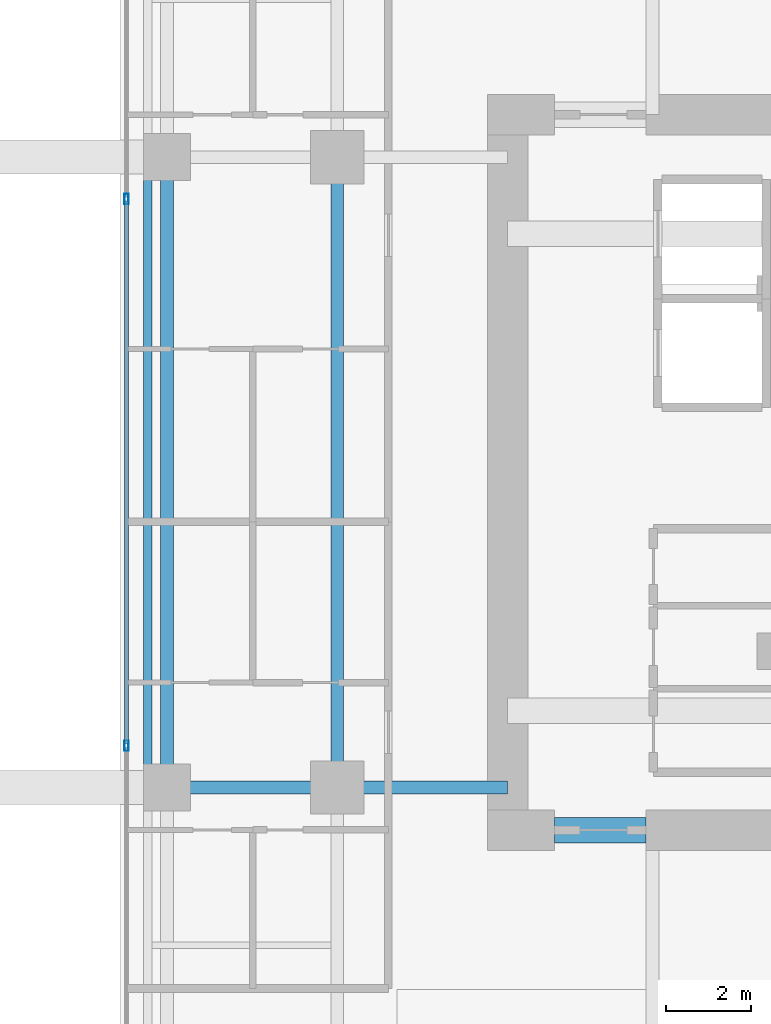
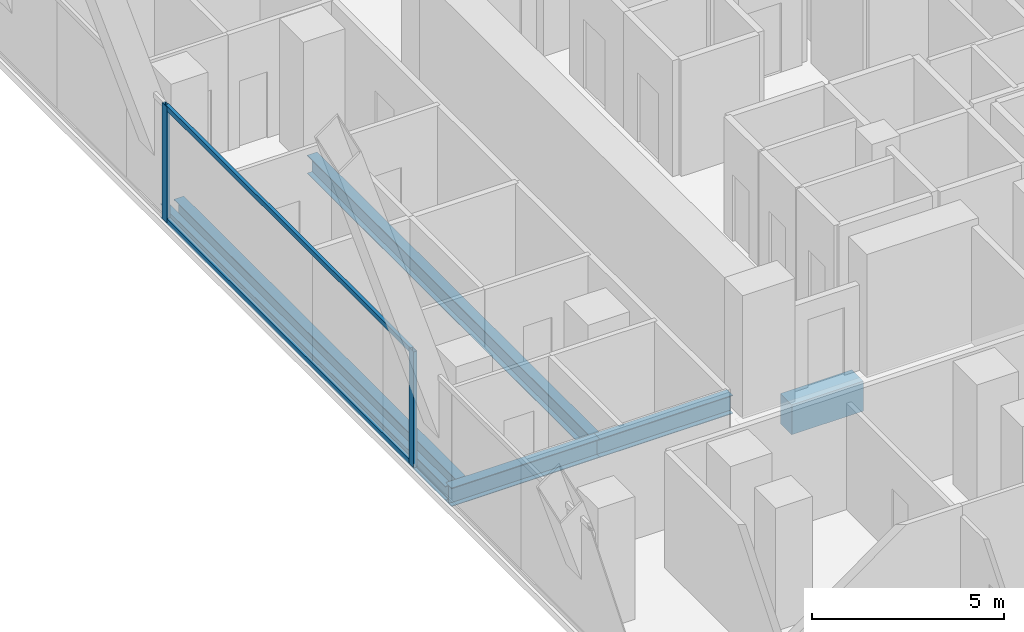
# One storey, part 7 of 32: 6 beams, 4 members, 1 element without a shape of its own.
"""IFC4 building model written with IfcOpenShell, lengths in metres."""

from ifc_helpers import new_model, si_unit, direction, frame, origin, origin_2d, place, context, subcontext, project, spatial, rectangle, hollow_rectangle, i_section, extrude, material, layer, layer_set, material_profile, profile_set, type_object, element, aggregate, save


model = new_model("IFC4")

# Units and contexts
model_context = context("Model", 3, precision=1e-05, world=origin(), true_north=direction((0.0, 1.0)))
body_context = subcontext(model_context, "Body", "Model", "MODEL_VIEW")
ifc_project = project(units=[si_unit("LENGTHUNIT", "METRE"), si_unit("AREAUNIT", "SQUARE_METRE"), si_unit("VOLUMEUNIT", "CUBIC_METRE"), si_unit("PLANEANGLEUNIT", "RADIAN"), si_unit("MASSUNIT", "GRAM", prefix="KILO")], contexts=[model_context])

# Site, building, storey
site_placement = place(None, origin())
site = spatial("IfcSite", under=ifc_project, at=site_placement, CompositionType="ELEMENT")
building_placement = place(site_placement, origin())
building = spatial("IfcBuilding", under=site, at=building_placement, Name="Khorvyn Point Tower", CompositionType="ELEMENT")
storey_placement = place(building_placement, frame((0.0, 0.0, 148.5)))
storey = spatial("IfcBuildingStorey", under=building, at=storey_placement, Name="L37", CompositionType="ELEMENT", Elevation=148.5)

# Curtain wall, members
ifc_material_1 = material(Name="Anodised aluminium 6063-T6 and laminated Low-E glass", Category="aluminium")
ifc_layer = layer(ifc_material_1, 0.18994140625)
ifc_layer_set = layer_set([ifc_layer], Name="Stick-Built Acoustic Curtain Wall CW-SYS-03")
curtain_wall_type = type_object("IfcCurtainWallType", Name="Stick-Built Acoustic Curtain Wall CW-SYS-03", PredefinedType="NOTDEFINED", material=ifc_layer_set)
curtain_wall_placement = place(storey_placement, origin())
curtain_wall = element("IfcCurtainWall", 1, at=curtain_wall_placement, inside=storey, type_object=curtain_wall_type, Name="Curtain Wall", PredefinedType="NOTDEFINED")
ifc_material_2 = material(Name="Anodised aluminium 6063-T6", Category="aluminium")
ifc_material_profile_1 = material_profile(ifc_material_2, hollow_rectangle(XDim=0.10009765625, YDim=0.239990234375, WallThickness=0.0048828125, at=origin_2d()))
ifc_profile_set_1 = profile_set([ifc_material_profile_1], Name="Anodised aluminium 6063-T6 ALU-MUL-100x240")
member_type_1 = type_object("IfcMemberType", Name="Anodised Aluminium 6063-T6 Mullion ALU-MUL-100x240", PredefinedType="MULLION", material=ifc_profile_set_1)
member_1_placement = place(storey_placement, frame((-19.75, -6.416748046875, 0.0), z_axis=(0.0, 0.0, 1.0), x_axis=(-1.0, 0.0, 0.0)))
member_1 = element("IfcMember", 2, at=member_1_placement, type_object=member_type_1, Name="Transom", PredefinedType="MULLION", context=body_context, shape_type="SweptSolid", body=[
    extrude(hollow_rectangle(XDim=0.10009765625, YDim=0.239990234375, WallThickness=0.0048828125, at=origin_2d()), origin(), (0.0, 0.0, 1.0), 3.679931640625),
])
member_2_placement = place(storey_placement, frame((-19.75, 6.416748046875, 0.0), z_axis=(0.0, 0.0, 1.0), x_axis=(-1.0, 0.0, 0.0)))
member_2 = element("IfcMember", 3, at=member_2_placement, type_object=member_type_1, Name="Transom", PredefinedType="MULLION", context=body_context, shape_type="SweptSolid", body=[
    extrude(hollow_rectangle(XDim=0.10009765625, YDim=0.239990234375, WallThickness=0.0048828125, at=origin_2d()), origin(), (0.0, 0.0, 1.0), 3.679931640625),
])
ifc_material_profile_2 = material_profile(ifc_material_2, hollow_rectangle(XDim=0.10009765625, YDim=0.159912109375, WallThickness=0.00439453125, at=origin_2d()))
ifc_profile_set_2 = profile_set([ifc_material_profile_2], Name="Anodised aluminium 6063-T6 ALU-TRN-100x160")
member_type_2 = type_object("IfcMemberType", Name="Anodised Aluminium 6063-T6 Transom ALU-TRN-100x160", PredefinedType="USERDEFINED", material=ifc_profile_set_2)
member_3_placement = place(storey_placement, frame((-19.75, -6.36669921875, 0.050048828125), z_axis=(0.0, 1.0, 0.0), x_axis=(-1.0, 0.0, 0.0)))
member_3 = element("IfcMember", 4, at=member_3_placement, type_object=member_type_2, Name="Transom", ObjectType="TRANSOM", PredefinedType="USERDEFINED", context=body_context, shape_type="SweptSolid", body=[
    extrude(hollow_rectangle(XDim=0.10009765625, YDim=0.159912109375, WallThickness=0.00439453125, at=origin_2d()), origin(), (0.0, 0.0, 1.0), 12.7333984375),
])
member_4_placement = place(storey_placement, frame((-19.75, -6.36669921875, 3.6298828125), z_axis=(0.0, 1.0, 0.0), x_axis=(-1.0, 0.0, 0.0)))
member_4 = element("IfcMember", 5, at=member_4_placement, type_object=member_type_2, Name="Transom", ObjectType="TRANSOM", PredefinedType="USERDEFINED", context=body_context, shape_type="SweptSolid", body=[
    extrude(hollow_rectangle(XDim=0.10009765625, YDim=0.159912109375, WallThickness=0.00439453125, at=origin_2d()), origin(), (0.0, 0.0, 1.0), 12.7333984375),
])
aggregate(curtain_wall, [member_1, member_2, member_3, member_4])

# Beams
ifc_material_3 = material(Name="Concrete C50/60", Category="concrete")
ifc_material_profile_3 = material_profile(ifc_material_3, rectangle(XDim=0.60009765625, YDim=0.949951171875, at=origin_2d()))
ifc_profile_set_3 = profile_set([ifc_material_profile_3], Name="Concrete C50/60 RC600x950")
beam_type_1 = type_object("IfcBeamType", Name="Concrete C50/60 Beam RC600x950", PredefinedType="BEAM", material=ifc_profile_set_3)
beam_1_placement = place(storey_placement, frame((-9.699951171875, -8.39990234375, -0.695068359375), z_axis=(1.0, 0.0, 0.0), x_axis=(0.0, 1.0, 0.0)))
element("IfcBeam", 6, at=beam_1_placement, inside=storey, type_object=beam_type_1, Name="L37 Core Southwest Portal Coupling Beam", PredefinedType="BEAM", context=body_context, shape_type="SweptSolid", body=[
    extrude(rectangle(XDim=0.60009765625, YDim=0.949951171875, at=origin_2d()), origin(), (0.0, 0.0, 1.0), 2.14990234375),
])
ifc_material_4 = material(Name="Steel S355", Category="steel")
ifc_material_profile_4 = material_profile(ifc_material_4, i_section(OverallWidth=0.300048828125, OverallDepth=0.587890625, WebThickness=0.011962890625, FlangeThickness=0.02001953125, at=origin_2d()))
ifc_profile_set_4 = profile_set([ifc_material_profile_4], Name="Steel S355 H588x300x12x20")
beam_type_2 = type_object("IfcBeamType", Name="Steel S355 Beam H588x300x12x20", PredefinedType="BEAM", material=ifc_profile_set_4)
beam_2_placement = place(storey_placement, frame((-19.25, -7.39990234375, -0.513916015625), z_axis=(1.0, 0.0, 0.0), x_axis=(0.0, 1.0, 0.0)))
element("IfcBeam", 7, at=beam_2_placement, inside=storey, type_object=beam_type_2, Name="Beam", PredefinedType="BEAM", context=body_context, shape_type="SweptSolid", body=[
    extrude(i_section(OverallWidth=0.300048828125, OverallDepth=0.587890625, WebThickness=0.011962890625, FlangeThickness=0.02001953125, at=origin_2d()), origin(), (0.0, 0.0, 1.0), 4.449951171875),
])
beam_3_placement = place(storey_placement, frame((-14.800048828125, -7.39990234375, -0.513916015625), z_axis=(1.0, 0.0, 0.0), x_axis=(0.0, 1.0, 0.0)))
element("IfcBeam", 8, at=beam_3_placement, inside=storey, type_object=beam_type_2, Name="Beam", PredefinedType="BEAM", context=body_context, shape_type="SweptSolid", body=[
    extrude(i_section(OverallWidth=0.300048828125, OverallDepth=0.587890625, WebThickness=0.011962890625, FlangeThickness=0.02001953125, at=origin_2d()), origin(), (0.0, 0.0, 1.0), 4.0),
])
for number, where, z_axis, x_axis, name in (
    (9, (-14.800048828125, -7.39990234375, -0.513916015625), (0.0, 1.0, 0.0), (-1.0, 0.0, 0.0), "Beam"),
    (10, (-18.800048828125, -7.39990234375, -0.513916015625), (0.0, 1.0, 0.0), (-1.0, 0.0, 0.0), "Beam"),
):
    element("IfcBeam", number, at=place(storey_placement, frame(where, z_axis=z_axis, x_axis=x_axis)), inside=storey, type_object=beam_type_2, Name=name, PredefinedType="BEAM", context=body_context, shape_type="SweptSolid", body=[
        extrude(i_section(OverallWidth=0.300048828125, OverallDepth=0.587890625, WebThickness=0.011962890625, FlangeThickness=0.02001953125, at=origin_2d()), origin(), (0.0, 0.0, 1.0), 14.7998046875),
    ])
ifc_material_profile_5 = material_profile(ifc_material_4, i_section(OverallWidth=0.199951171875, OverallDepth=0.449951171875, WebThickness=0.009033203125, FlangeThickness=0.013916015625, at=origin_2d()))
ifc_profile_set_5 = profile_set([ifc_material_profile_5], Name="Steel S355 H450x200x9x14")
beam_type_3 = type_object("IfcBeamType", Name="Steel S355 Spandrel H450x200x9x14", PredefinedType="SPANDREL", material=ifc_profile_set_5)
beam_4_placement = place(storey_placement, frame((-19.25, -7.39990234375, -0.445068359375), z_axis=(0.0, 1.0, 0.0), x_axis=(-1.0, 0.0, 0.0)))
element("IfcBeam", 11, at=beam_4_placement, inside=storey, type_object=beam_type_3, Name="Beam", PredefinedType="SPANDREL", context=body_context, shape_type="SweptSolid", body=[
    extrude(i_section(OverallWidth=0.199951171875, OverallDepth=0.449951171875, WebThickness=0.009033203125, FlangeThickness=0.013916015625, at=origin_2d()), origin(), (0.0, 0.0, 1.0), 14.7998046875),
])

save(model, "model.ifc")
